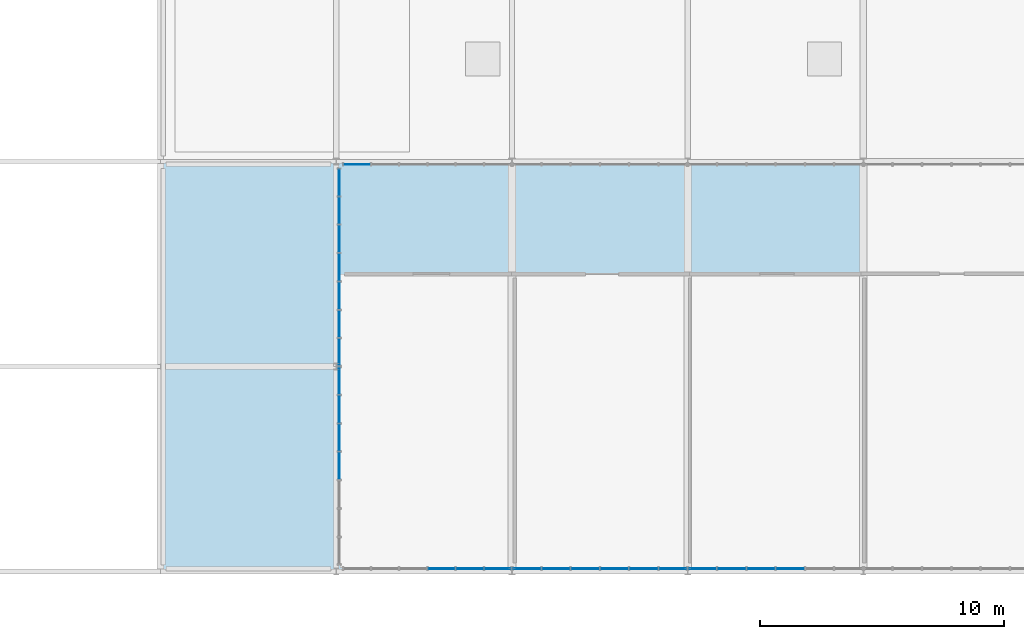
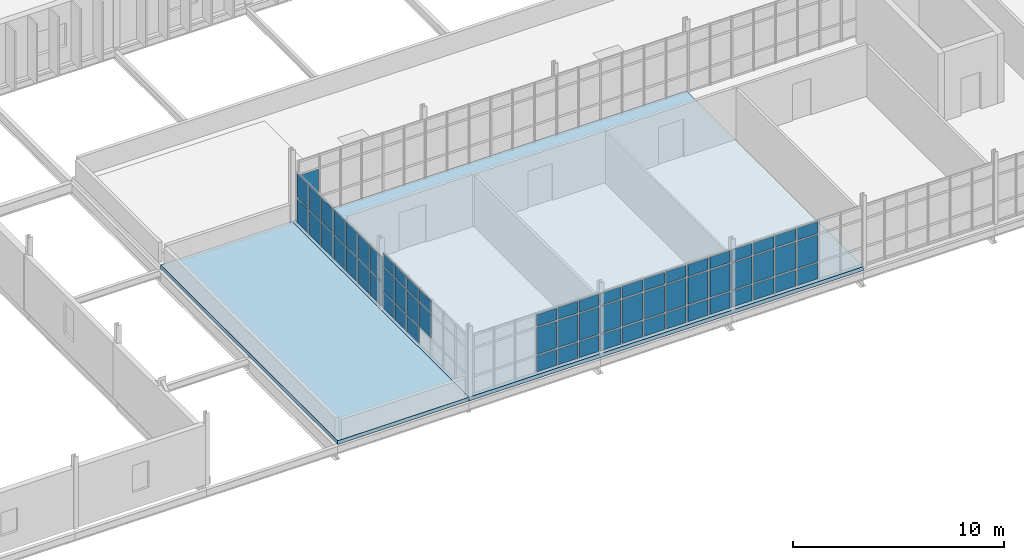
# One storey, part 68 of 119: 66 plates, 2 slabs, 6 elements without a shape of their own.
"""IFC4 building model written with IfcOpenShell, lengths in metres."""

from ifc_helpers import new_model, si_unit, direction, frame, origin, origin_2d, place, context, subcontext, project, spatial, polyline, rectangle, outline, extrude, material, layer, layer_set, type_object, element, aggregate, save


model = new_model("IFC4")

# Units and contexts
model_context = context("Model", 3, precision=1e-05, world=origin(), true_north=direction((0.0, 1.0)))
body_context = subcontext(model_context, "Body", "Model", "MODEL_VIEW")
ifc_project = project(units=[si_unit("LENGTHUNIT", "METRE"), si_unit("AREAUNIT", "SQUARE_METRE"), si_unit("VOLUMEUNIT", "CUBIC_METRE"), si_unit("PLANEANGLEUNIT", "RADIAN"), si_unit("MASSUNIT", "GRAM", prefix="KILO")], contexts=[model_context])

# Site, building, storey
site_placement = place(None, origin())
site = spatial("IfcSite", under=ifc_project, at=site_placement, CompositionType="ELEMENT")
building_placement = place(site_placement, origin())
building = spatial("IfcBuilding", under=site, at=building_placement, Name="Qelthora Terrace Specialist Clinic", CompositionType="ELEMENT")
storey_placement = place(building_placement, frame((0.0, 0.0, 4.800048828125)))
storey = spatial("IfcBuildingStorey", under=building, at=storey_placement, Name="L01", CompositionType="ELEMENT", Elevation=4.800048828125)

# Curtain wall, plates
ifc_material_1 = material(Name="Aluminium anodized bronze", Category="aluminium")
curtain_wall_type = type_object("IfcCurtainWallType", Name="CW-CONS-UP", PredefinedType="NOTDEFINED", material=ifc_material_1)
curtain_wall_1_placement = place(storey_placement, origin())
curtain_wall_1 = element("IfcCurtainWall", 1, at=curtain_wall_1_placement, inside=storey, type_object=curtain_wall_type, Name="Curtain wall CW-L01-240", PredefinedType="NOTDEFINED")
ifc_material_2 = material(Name="Low-E triple-silver insulating glass", Category="glass")
ifc_layer_1 = layer(ifc_material_2, 0.035888671875)
ifc_layer_set_1 = layer_set([ifc_layer_1], Name="Low-E triple-silver insulating glass")
plate_type = type_object("IfcPlateType", Name="CWP-IGU-36", PredefinedType="CURTAIN_PANEL", material=ifc_layer_set_1)
plate_1_placement = place(storey_placement, frame((108.83837890625, 16.679931640625, 0.0849609375), z_axis=(0.0, 0.0, 1.0), x_axis=(1.0, 0.0, 0.0)))
plate_1 = element("IfcPlate", 2, at=plate_1_placement, type_object=plate_type, Name="CW-L01-240 glazed panel 1", PredefinedType="CURTAIN_PANEL", context=body_context, shape_type="SweptSolid", body=[
    extrude(rectangle(XDim=1.056640625, YDim=0.035888671875, at=origin_2d()), origin(), (0.0, 0.0, 1.0), 0.919921875),
])
plate_2_placement = place(storey_placement, frame((108.83837890625, 16.679931640625, 1.09521484375), z_axis=(0.0, 0.0, 1.0), x_axis=(1.0, 0.0, 0.0)))
plate_2 = element("IfcPlate", 3, at=plate_2_placement, type_object=plate_type, Name="CW-L01-240 glazed panel 2", PredefinedType="CURTAIN_PANEL", context=body_context, shape_type="SweptSolid", body=[
    extrude(rectangle(XDim=1.056640625, YDim=0.035888671875, at=origin_2d()), origin(), (0.0, 0.0, 1.0), 1.535888671875),
])
aggregate(curtain_wall_1, [plate_1, plate_2])

curtain_wall_2_placement = place(storey_placement, origin())
curtain_wall_2 = element("IfcCurtainWall", 4, at=curtain_wall_2_placement, inside=storey, type_object=curtain_wall_type, Name="Curtain wall CW-L01-248", PredefinedType="NOTDEFINED")
plate_3_placement = place(storey_placement, frame((112.308349609375, 0.1201171875, 0.0849609375), z_axis=(0.0, 0.0, 1.0), x_axis=(1.0, 0.0, 0.0)))
plate_3 = element("IfcPlate", 5, at=plate_3_placement, type_object=plate_type, Name="CW-L01-248 glazed panel 10", PredefinedType="CURTAIN_PANEL", context=body_context, shape_type="SweptSolid", body=[
    extrude(rectangle(XDim=1.056640625, YDim=0.035888671875, at=origin_2d()), origin(), (0.0, 0.0, 1.0), 0.919921875),
])
plate_4_placement = place(storey_placement, frame((112.308349609375, 0.1201171875, 1.094970703125), z_axis=(0.0, 0.0, 1.0), x_axis=(1.0, 0.0, 0.0)))
plate_4 = element("IfcPlate", 6, at=plate_4_placement, type_object=plate_type, Name="CW-L01-248 glazed panel 11", PredefinedType="CURTAIN_PANEL", context=body_context, shape_type="SweptSolid", body=[
    extrude(rectangle(XDim=1.056640625, YDim=0.035888671875, at=origin_2d()), origin(), (0.0, 0.0, 1.0), 1.5419921875),
])
plate_5_placement = place(storey_placement, frame((112.308349609375, 0.1201171875, 2.72705078125), z_axis=(0.0, 0.0, 1.0), x_axis=(1.0, 0.0, 0.0)))
plate_5 = element("IfcPlate", 7, at=plate_5_placement, type_object=plate_type, Name="CW-L01-248 glazed panel 12", PredefinedType="CURTAIN_PANEL", context=body_context, shape_type="SweptSolid", body=[
    extrude(rectangle(XDim=1.056640625, YDim=0.035888671875, at=origin_2d()), origin(), (0.0, 0.0, 1.0), 0.669921875),
])
plate_6_placement = place(storey_placement, frame((113.465087890625, 0.1201171875, 0.0849609375), z_axis=(0.0, 0.0, 1.0), x_axis=(1.0, 0.0, 0.0)))
plate_6 = element("IfcPlate", 8, at=plate_6_placement, type_object=plate_type, Name="CW-L01-248 glazed panel 13", PredefinedType="CURTAIN_PANEL", context=body_context, shape_type="SweptSolid", body=[
    extrude(rectangle(XDim=1.056640625, YDim=0.035888671875, at=origin_2d()), origin(), (0.0, 0.0, 1.0), 0.919921875),
])
plate_7_placement = place(storey_placement, frame((113.465087890625, 0.1201171875, 1.094970703125), z_axis=(0.0, 0.0, 1.0), x_axis=(1.0, 0.0, 0.0)))
plate_7 = element("IfcPlate", 9, at=plate_7_placement, type_object=plate_type, Name="CW-L01-248 glazed panel 14", PredefinedType="CURTAIN_PANEL", context=body_context, shape_type="SweptSolid", body=[
    extrude(rectangle(XDim=1.056640625, YDim=0.035888671875, at=origin_2d()), origin(), (0.0, 0.0, 1.0), 1.5419921875),
])
plate_8_placement = place(storey_placement, frame((113.465087890625, 0.1201171875, 2.72705078125), z_axis=(0.0, 0.0, 1.0), x_axis=(1.0, 0.0, 0.0)))
plate_8 = element("IfcPlate", 10, at=plate_8_placement, type_object=plate_type, Name="CW-L01-248 glazed panel 15", PredefinedType="CURTAIN_PANEL", context=body_context, shape_type="SweptSolid", body=[
    extrude(rectangle(XDim=1.056640625, YDim=0.035888671875, at=origin_2d()), origin(), (0.0, 0.0, 1.0), 0.669921875),
])
plate_9_placement = place(storey_placement, frame((114.62158203125, 0.1201171875, 0.0849609375), z_axis=(0.0, 0.0, 1.0), x_axis=(1.0, 0.0, 0.0)))
plate_9 = element("IfcPlate", 11, at=plate_9_placement, type_object=plate_type, Name="CW-L01-248 glazed panel 16", PredefinedType="CURTAIN_PANEL", context=body_context, shape_type="SweptSolid", body=[
    extrude(rectangle(XDim=1.056640625, YDim=0.035888671875, at=origin_2d()), origin(), (0.0, 0.0, 1.0), 0.919921875),
])
plate_10_placement = place(storey_placement, frame((114.62158203125, 0.1201171875, 1.094970703125), z_axis=(0.0, 0.0, 1.0), x_axis=(1.0, 0.0, 0.0)))
plate_10 = element("IfcPlate", 12, at=plate_10_placement, type_object=plate_type, Name="CW-L01-248 glazed panel 17", PredefinedType="CURTAIN_PANEL", context=body_context, shape_type="SweptSolid", body=[
    extrude(rectangle(XDim=1.056640625, YDim=0.035888671875, at=origin_2d()), origin(), (0.0, 0.0, 1.0), 1.5419921875),
])
plate_11_placement = place(storey_placement, frame((114.62158203125, 0.1201171875, 2.72705078125), z_axis=(0.0, 0.0, 1.0), x_axis=(1.0, 0.0, 0.0)))
plate_11 = element("IfcPlate", 13, at=plate_11_placement, type_object=plate_type, Name="CW-L01-248 glazed panel 18", PredefinedType="CURTAIN_PANEL", context=body_context, shape_type="SweptSolid", body=[
    extrude(rectangle(XDim=1.056640625, YDim=0.035888671875, at=origin_2d()), origin(), (0.0, 0.0, 1.0), 0.669921875),
])
aggregate(curtain_wall_2, [plate_3, plate_4, plate_5, plate_6, plate_7, plate_8, plate_9, plate_10, plate_11])

curtain_wall_3_placement = place(storey_placement, origin())
curtain_wall_3 = element("IfcCurtainWall", 14, at=curtain_wall_3_placement, inside=storey, type_object=curtain_wall_type, Name="Curtain wall CW-L01-249", PredefinedType="NOTDEFINED")
plate_12_placement = place(storey_placement, frame((115.800048828125, 0.1201171875, 0.0849609375), z_axis=(0.0, 0.0, 1.0), x_axis=(1.0, 0.0, 0.0)))
plate_12 = element("IfcPlate", 15, at=plate_12_placement, type_object=plate_type, Name="CW-L01-249 glazed panel 1", PredefinedType="CURTAIN_PANEL", context=body_context, shape_type="SweptSolid", body=[
    extrude(rectangle(XDim=1.10009765625, YDim=0.035888671875, at=origin_2d()), origin(), (0.0, 0.0, 1.0), 0.919921875),
])
plate_13_placement = place(storey_placement, frame((115.800048828125, 0.1201171875, 1.094970703125), z_axis=(0.0, 0.0, 1.0), x_axis=(1.0, 0.0, 0.0)))
plate_13 = element("IfcPlate", 16, at=plate_13_placement, type_object=plate_type, Name="CW-L01-249 glazed panel 2", PredefinedType="CURTAIN_PANEL", context=body_context, shape_type="SweptSolid", body=[
    extrude(rectangle(XDim=1.10009765625, YDim=0.035888671875, at=origin_2d()), origin(), (0.0, 0.0, 1.0), 1.5419921875),
])
plate_14_placement = place(storey_placement, frame((115.800048828125, 0.1201171875, 2.72705078125), z_axis=(0.0, 0.0, 1.0), x_axis=(1.0, 0.0, 0.0)))
plate_14 = element("IfcPlate", 17, at=plate_14_placement, type_object=plate_type, Name="CW-L01-249 glazed panel 3", PredefinedType="CURTAIN_PANEL", context=body_context, shape_type="SweptSolid", body=[
    extrude(rectangle(XDim=1.10009765625, YDim=0.035888671875, at=origin_2d()), origin(), (0.0, 0.0, 1.0), 0.669921875),
])
plate_15_placement = place(storey_placement, frame((117.0, 0.1201171875, 0.0849609375), z_axis=(0.0, 0.0, 1.0), x_axis=(1.0, 0.0, 0.0)))
plate_15 = element("IfcPlate", 18, at=plate_15_placement, type_object=plate_type, Name="CW-L01-249 glazed panel 4", PredefinedType="CURTAIN_PANEL", context=body_context, shape_type="SweptSolid", body=[
    extrude(rectangle(XDim=1.10009765625, YDim=0.035888671875, at=origin_2d()), origin(), (0.0, 0.0, 1.0), 0.919921875),
])
plate_16_placement = place(storey_placement, frame((117.0, 0.1201171875, 1.094970703125), z_axis=(0.0, 0.0, 1.0), x_axis=(1.0, 0.0, 0.0)))
plate_16 = element("IfcPlate", 19, at=plate_16_placement, type_object=plate_type, Name="CW-L01-249 glazed panel 5", PredefinedType="CURTAIN_PANEL", context=body_context, shape_type="SweptSolid", body=[
    extrude(rectangle(XDim=1.10009765625, YDim=0.035888671875, at=origin_2d()), origin(), (0.0, 0.0, 1.0), 1.5419921875),
])
plate_17_placement = place(storey_placement, frame((117.0, 0.1201171875, 2.72705078125), z_axis=(0.0, 0.0, 1.0), x_axis=(1.0, 0.0, 0.0)))
plate_17 = element("IfcPlate", 20, at=plate_17_placement, type_object=plate_type, Name="CW-L01-249 glazed panel 6", PredefinedType="CURTAIN_PANEL", context=body_context, shape_type="SweptSolid", body=[
    extrude(rectangle(XDim=1.10009765625, YDim=0.035888671875, at=origin_2d()), origin(), (0.0, 0.0, 1.0), 0.669921875),
])
plate_18_placement = place(storey_placement, frame((118.199951171875, 0.1201171875, 0.0849609375), z_axis=(0.0, 0.0, 1.0), x_axis=(1.0, 0.0, 0.0)))
plate_18 = element("IfcPlate", 21, at=plate_18_placement, type_object=plate_type, Name="CW-L01-249 glazed panel 7", PredefinedType="CURTAIN_PANEL", context=body_context, shape_type="SweptSolid", body=[
    extrude(rectangle(XDim=1.10009765625, YDim=0.035888671875, at=origin_2d()), origin(), (0.0, 0.0, 1.0), 0.919921875),
])
plate_19_placement = place(storey_placement, frame((118.199951171875, 0.1201171875, 1.094970703125), z_axis=(0.0, 0.0, 1.0), x_axis=(1.0, 0.0, 0.0)))
plate_19 = element("IfcPlate", 22, at=plate_19_placement, type_object=plate_type, Name="CW-L01-249 glazed panel 8", PredefinedType="CURTAIN_PANEL", context=body_context, shape_type="SweptSolid", body=[
    extrude(rectangle(XDim=1.10009765625, YDim=0.035888671875, at=origin_2d()), origin(), (0.0, 0.0, 1.0), 1.5419921875),
])
plate_20_placement = place(storey_placement, frame((118.199951171875, 0.1201171875, 2.72705078125), z_axis=(0.0, 0.0, 1.0), x_axis=(1.0, 0.0, 0.0)))
plate_20 = element("IfcPlate", 23, at=plate_20_placement, type_object=plate_type, Name="CW-L01-249 glazed panel 9", PredefinedType="CURTAIN_PANEL", context=body_context, shape_type="SweptSolid", body=[
    extrude(rectangle(XDim=1.10009765625, YDim=0.035888671875, at=origin_2d()), origin(), (0.0, 0.0, 1.0), 0.669921875),
])
plate_21_placement = place(storey_placement, frame((119.39990234375, 0.1201171875, 0.0849609375), z_axis=(0.0, 0.0, 1.0), x_axis=(1.0, 0.0, 0.0)))
plate_21 = element("IfcPlate", 24, at=plate_21_placement, type_object=plate_type, Name="CW-L01-249 glazed panel 10", PredefinedType="CURTAIN_PANEL", context=body_context, shape_type="SweptSolid", body=[
    extrude(rectangle(XDim=1.10009765625, YDim=0.035888671875, at=origin_2d()), origin(), (0.0, 0.0, 1.0), 0.919921875),
])
plate_22_placement = place(storey_placement, frame((119.39990234375, 0.1201171875, 1.094970703125), z_axis=(0.0, 0.0, 1.0), x_axis=(1.0, 0.0, 0.0)))
plate_22 = element("IfcPlate", 25, at=plate_22_placement, type_object=plate_type, Name="CW-L01-249 glazed panel 11", PredefinedType="CURTAIN_PANEL", context=body_context, shape_type="SweptSolid", body=[
    extrude(rectangle(XDim=1.10009765625, YDim=0.035888671875, at=origin_2d()), origin(), (0.0, 0.0, 1.0), 1.5419921875),
])
plate_23_placement = place(storey_placement, frame((119.39990234375, 0.1201171875, 2.72705078125), z_axis=(0.0, 0.0, 1.0), x_axis=(1.0, 0.0, 0.0)))
plate_23 = element("IfcPlate", 26, at=plate_23_placement, type_object=plate_type, Name="CW-L01-249 glazed panel 12", PredefinedType="CURTAIN_PANEL", context=body_context, shape_type="SweptSolid", body=[
    extrude(rectangle(XDim=1.10009765625, YDim=0.035888671875, at=origin_2d()), origin(), (0.0, 0.0, 1.0), 0.669921875),
])
plate_24_placement = place(storey_placement, frame((120.60009765625, 0.1201171875, 0.0849609375), z_axis=(0.0, 0.0, 1.0), x_axis=(1.0, 0.0, 0.0)))
plate_24 = element("IfcPlate", 27, at=plate_24_placement, type_object=plate_type, Name="CW-L01-249 glazed panel 13", PredefinedType="CURTAIN_PANEL", context=body_context, shape_type="SweptSolid", body=[
    extrude(rectangle(XDim=1.10009765625, YDim=0.035888671875, at=origin_2d()), origin(), (0.0, 0.0, 1.0), 0.919921875),
])
plate_25_placement = place(storey_placement, frame((120.60009765625, 0.1201171875, 1.094970703125), z_axis=(0.0, 0.0, 1.0), x_axis=(1.0, 0.0, 0.0)))
plate_25 = element("IfcPlate", 28, at=plate_25_placement, type_object=plate_type, Name="CW-L01-249 glazed panel 14", PredefinedType="CURTAIN_PANEL", context=body_context, shape_type="SweptSolid", body=[
    extrude(rectangle(XDim=1.10009765625, YDim=0.035888671875, at=origin_2d()), origin(), (0.0, 0.0, 1.0), 1.5419921875),
])
plate_26_placement = place(storey_placement, frame((120.60009765625, 0.1201171875, 2.72705078125), z_axis=(0.0, 0.0, 1.0), x_axis=(1.0, 0.0, 0.0)))
plate_26 = element("IfcPlate", 29, at=plate_26_placement, type_object=plate_type, Name="CW-L01-249 glazed panel 15", PredefinedType="CURTAIN_PANEL", context=body_context, shape_type="SweptSolid", body=[
    extrude(rectangle(XDim=1.10009765625, YDim=0.035888671875, at=origin_2d()), origin(), (0.0, 0.0, 1.0), 0.669921875),
])
plate_27_placement = place(storey_placement, frame((121.800048828125, 0.1201171875, 0.0849609375), z_axis=(0.0, 0.0, 1.0), x_axis=(1.0, 0.0, 0.0)))
plate_27 = element("IfcPlate", 30, at=plate_27_placement, type_object=plate_type, Name="CW-L01-249 glazed panel 16", PredefinedType="CURTAIN_PANEL", context=body_context, shape_type="SweptSolid", body=[
    extrude(rectangle(XDim=1.10009765625, YDim=0.035888671875, at=origin_2d()), origin(), (0.0, 0.0, 1.0), 0.919921875),
])
plate_28_placement = place(storey_placement, frame((121.800048828125, 0.1201171875, 1.094970703125), z_axis=(0.0, 0.0, 1.0), x_axis=(1.0, 0.0, 0.0)))
plate_28 = element("IfcPlate", 31, at=plate_28_placement, type_object=plate_type, Name="CW-L01-249 glazed panel 17", PredefinedType="CURTAIN_PANEL", context=body_context, shape_type="SweptSolid", body=[
    extrude(rectangle(XDim=1.10009765625, YDim=0.035888671875, at=origin_2d()), origin(), (0.0, 0.0, 1.0), 1.5419921875),
])
plate_29_placement = place(storey_placement, frame((121.800048828125, 0.1201171875, 2.72705078125), z_axis=(0.0, 0.0, 1.0), x_axis=(1.0, 0.0, 0.0)))
plate_29 = element("IfcPlate", 32, at=plate_29_placement, type_object=plate_type, Name="CW-L01-249 glazed panel 18", PredefinedType="CURTAIN_PANEL", context=body_context, shape_type="SweptSolid", body=[
    extrude(rectangle(XDim=1.10009765625, YDim=0.035888671875, at=origin_2d()), origin(), (0.0, 0.0, 1.0), 0.669921875),
])
aggregate(curtain_wall_3, [plate_12, plate_13, plate_14, plate_15, plate_16, plate_17, plate_18, plate_19, plate_20, plate_21, plate_22, plate_23, plate_24, plate_25, plate_26, plate_27, plate_28, plate_29])

curtain_wall_4_placement = place(storey_placement, origin())
curtain_wall_4 = element("IfcCurtainWall", 33, at=curtain_wall_4_placement, inside=storey, type_object=curtain_wall_type, Name="Curtain wall CW-L01-250", PredefinedType="NOTDEFINED")
plate_30_placement = place(storey_placement, frame((123.0, 0.1201171875, 0.0849609375), z_axis=(0.0, 0.0, 1.0), x_axis=(1.0, 0.0, 0.0)))
plate_30 = element("IfcPlate", 34, at=plate_30_placement, type_object=plate_type, Name="CW-L01-250 glazed panel 1", PredefinedType="CURTAIN_PANEL", context=body_context, shape_type="SweptSolid", body=[
    extrude(rectangle(XDim=1.10009765625, YDim=0.035888671875, at=origin_2d()), origin(), (0.0, 0.0, 1.0), 0.919921875),
])
plate_31_placement = place(storey_placement, frame((123.0, 0.1201171875, 1.094970703125), z_axis=(0.0, 0.0, 1.0), x_axis=(1.0, 0.0, 0.0)))
plate_31 = element("IfcPlate", 35, at=plate_31_placement, type_object=plate_type, Name="CW-L01-250 glazed panel 2", PredefinedType="CURTAIN_PANEL", context=body_context, shape_type="SweptSolid", body=[
    extrude(rectangle(XDim=1.10009765625, YDim=0.035888671875, at=origin_2d()), origin(), (0.0, 0.0, 1.0), 1.5419921875),
])
plate_32_placement = place(storey_placement, frame((123.0, 0.1201171875, 2.72705078125), z_axis=(0.0, 0.0, 1.0), x_axis=(1.0, 0.0, 0.0)))
plate_32 = element("IfcPlate", 36, at=plate_32_placement, type_object=plate_type, Name="CW-L01-250 glazed panel 3", PredefinedType="CURTAIN_PANEL", context=body_context, shape_type="SweptSolid", body=[
    extrude(rectangle(XDim=1.10009765625, YDim=0.035888671875, at=origin_2d()), origin(), (0.0, 0.0, 1.0), 0.669921875),
])
plate_33_placement = place(storey_placement, frame((124.199951171875, 0.1201171875, 0.0849609375), z_axis=(0.0, 0.0, 1.0), x_axis=(1.0, 0.0, 0.0)))
plate_33 = element("IfcPlate", 37, at=plate_33_placement, type_object=plate_type, Name="CW-L01-250 glazed panel 4", PredefinedType="CURTAIN_PANEL", context=body_context, shape_type="SweptSolid", body=[
    extrude(rectangle(XDim=1.10009765625, YDim=0.035888671875, at=origin_2d()), origin(), (0.0, 0.0, 1.0), 0.919921875),
])
plate_34_placement = place(storey_placement, frame((124.199951171875, 0.1201171875, 1.094970703125), z_axis=(0.0, 0.0, 1.0), x_axis=(1.0, 0.0, 0.0)))
plate_34 = element("IfcPlate", 38, at=plate_34_placement, type_object=plate_type, Name="CW-L01-250 glazed panel 5", PredefinedType="CURTAIN_PANEL", context=body_context, shape_type="SweptSolid", body=[
    extrude(rectangle(XDim=1.10009765625, YDim=0.035888671875, at=origin_2d()), origin(), (0.0, 0.0, 1.0), 1.5419921875),
])
plate_35_placement = place(storey_placement, frame((124.199951171875, 0.1201171875, 2.72705078125), z_axis=(0.0, 0.0, 1.0), x_axis=(1.0, 0.0, 0.0)))
plate_35 = element("IfcPlate", 39, at=plate_35_placement, type_object=plate_type, Name="CW-L01-250 glazed panel 6", PredefinedType="CURTAIN_PANEL", context=body_context, shape_type="SweptSolid", body=[
    extrude(rectangle(XDim=1.10009765625, YDim=0.035888671875, at=origin_2d()), origin(), (0.0, 0.0, 1.0), 0.669921875),
])
plate_36_placement = place(storey_placement, frame((125.39990234375, 0.1201171875, 0.0849609375), z_axis=(0.0, 0.0, 1.0), x_axis=(1.0, 0.0, 0.0)))
plate_36 = element("IfcPlate", 40, at=plate_36_placement, type_object=plate_type, Name="CW-L01-250 glazed panel 7", PredefinedType="CURTAIN_PANEL", context=body_context, shape_type="SweptSolid", body=[
    extrude(rectangle(XDim=1.10009765625, YDim=0.035888671875, at=origin_2d()), origin(), (0.0, 0.0, 1.0), 0.919921875),
])
plate_37_placement = place(storey_placement, frame((125.39990234375, 0.1201171875, 1.094970703125), z_axis=(0.0, 0.0, 1.0), x_axis=(1.0, 0.0, 0.0)))
plate_37 = element("IfcPlate", 41, at=plate_37_placement, type_object=plate_type, Name="CW-L01-250 glazed panel 8", PredefinedType="CURTAIN_PANEL", context=body_context, shape_type="SweptSolid", body=[
    extrude(rectangle(XDim=1.10009765625, YDim=0.035888671875, at=origin_2d()), origin(), (0.0, 0.0, 1.0), 1.5419921875),
])
plate_38_placement = place(storey_placement, frame((125.39990234375, 0.1201171875, 2.72705078125), z_axis=(0.0, 0.0, 1.0), x_axis=(1.0, 0.0, 0.0)))
plate_38 = element("IfcPlate", 42, at=plate_38_placement, type_object=plate_type, Name="CW-L01-250 glazed panel 9", PredefinedType="CURTAIN_PANEL", context=body_context, shape_type="SweptSolid", body=[
    extrude(rectangle(XDim=1.10009765625, YDim=0.035888671875, at=origin_2d()), origin(), (0.0, 0.0, 1.0), 0.669921875),
])
plate_39_placement = place(storey_placement, frame((126.60009765625, 0.1201171875, 0.0849609375), z_axis=(0.0, 0.0, 1.0), x_axis=(1.0, 0.0, 0.0)))
plate_39 = element("IfcPlate", 43, at=plate_39_placement, type_object=plate_type, Name="CW-L01-250 glazed panel 10", PredefinedType="CURTAIN_PANEL", context=body_context, shape_type="SweptSolid", body=[
    extrude(rectangle(XDim=1.10009765625, YDim=0.035888671875, at=origin_2d()), origin(), (0.0, 0.0, 1.0), 0.919921875),
])
plate_40_placement = place(storey_placement, frame((126.60009765625, 0.1201171875, 1.094970703125), z_axis=(0.0, 0.0, 1.0), x_axis=(1.0, 0.0, 0.0)))
plate_40 = element("IfcPlate", 44, at=plate_40_placement, type_object=plate_type, Name="CW-L01-250 glazed panel 11", PredefinedType="CURTAIN_PANEL", context=body_context, shape_type="SweptSolid", body=[
    extrude(rectangle(XDim=1.10009765625, YDim=0.035888671875, at=origin_2d()), origin(), (0.0, 0.0, 1.0), 1.5419921875),
])
plate_41_placement = place(storey_placement, frame((126.60009765625, 0.1201171875, 2.72705078125), z_axis=(0.0, 0.0, 1.0), x_axis=(1.0, 0.0, 0.0)))
plate_41 = element("IfcPlate", 45, at=plate_41_placement, type_object=plate_type, Name="CW-L01-250 glazed panel 12", PredefinedType="CURTAIN_PANEL", context=body_context, shape_type="SweptSolid", body=[
    extrude(rectangle(XDim=1.10009765625, YDim=0.035888671875, at=origin_2d()), origin(), (0.0, 0.0, 1.0), 0.669921875),
])
aggregate(curtain_wall_4, [plate_30, plate_31, plate_32, plate_33, plate_34, plate_35, plate_36, plate_37, plate_38, plate_39, plate_40, plate_41])

curtain_wall_5_placement = place(storey_placement, origin())
curtain_wall_5 = element("IfcCurtainWall", 46, at=curtain_wall_5_placement, inside=storey, type_object=curtain_wall_type, Name="Curtain wall CW-L01-254", PredefinedType="NOTDEFINED")
plate_42_placement = place(storey_placement, frame((108.1201171875, 4.330078125, 1.0947265625), z_axis=(0.0, 0.0, 1.0), x_axis=(0.0, 1.0, 0.0)))
plate_42 = element("IfcPlate", 47, at=plate_42_placement, type_object=plate_type, Name="CW-L01-254 glazed panel 11", PredefinedType="CURTAIN_PANEL", context=body_context, shape_type="SweptSolid", body=[
    extrude(rectangle(XDim=1.062744140625, YDim=0.035888671875, at=origin_2d()), origin(), (0.0, 0.0, 1.0), 1.385009765625),
])
plate_43_placement = place(storey_placement, frame((108.1201171875, 4.330078125, 2.570068359375), z_axis=(0.0, 0.0, 1.0), x_axis=(0.0, 1.0, 0.0)))
plate_43 = element("IfcPlate", 48, at=plate_43_placement, type_object=plate_type, Name="CW-L01-254 glazed panel 12", PredefinedType="CURTAIN_PANEL", context=body_context, shape_type="SweptSolid", body=[
    extrude(rectangle(XDim=1.062744140625, YDim=0.035888671875, at=origin_2d()), origin(), (0.0, 0.0, 1.0), 0.669921875),
])
plate_44_placement = place(storey_placement, frame((108.1201171875, 5.492919921875, 0.0849609375), z_axis=(0.0, 0.0, 1.0), x_axis=(0.0, 1.0, 0.0)))
plate_44 = element("IfcPlate", 49, at=plate_44_placement, type_object=plate_type, Name="CW-L01-254 glazed panel 13", PredefinedType="CURTAIN_PANEL", context=body_context, shape_type="SweptSolid", body=[
    extrude(rectangle(XDim=1.062744140625, YDim=0.035888671875, at=origin_2d()), origin(), (0.0, 0.0, 1.0), 0.919921875),
])
plate_45_placement = place(storey_placement, frame((108.1201171875, 5.492919921875, 1.0947265625), z_axis=(0.0, 0.0, 1.0), x_axis=(0.0, 1.0, 0.0)))
plate_45 = element("IfcPlate", 50, at=plate_45_placement, type_object=plate_type, Name="CW-L01-254 glazed panel 14", PredefinedType="CURTAIN_PANEL", context=body_context, shape_type="SweptSolid", body=[
    extrude(rectangle(XDim=1.062744140625, YDim=0.035888671875, at=origin_2d()), origin(), (0.0, 0.0, 1.0), 1.385009765625),
])
plate_46_placement = place(storey_placement, frame((108.1201171875, 5.492919921875, 2.570068359375), z_axis=(0.0, 0.0, 1.0), x_axis=(0.0, 1.0, 0.0)))
plate_46 = element("IfcPlate", 51, at=plate_46_placement, type_object=plate_type, Name="CW-L01-254 glazed panel 15", PredefinedType="CURTAIN_PANEL", context=body_context, shape_type="SweptSolid", body=[
    extrude(rectangle(XDim=1.062744140625, YDim=0.035888671875, at=origin_2d()), origin(), (0.0, 0.0, 1.0), 0.669921875),
])
plate_47_placement = place(storey_placement, frame((108.1201171875, 6.65576171875, 0.0849609375), z_axis=(0.0, 0.0, 1.0), x_axis=(0.0, 1.0, 0.0)))
plate_47 = element("IfcPlate", 52, at=plate_47_placement, type_object=plate_type, Name="CW-L01-254 glazed panel 16", PredefinedType="CURTAIN_PANEL", context=body_context, shape_type="SweptSolid", body=[
    extrude(rectangle(XDim=1.062744140625, YDim=0.035888671875, at=origin_2d()), origin(), (0.0, 0.0, 1.0), 0.919921875),
])
plate_48_placement = place(storey_placement, frame((108.1201171875, 6.65576171875, 1.0947265625), z_axis=(0.0, 0.0, 1.0), x_axis=(0.0, 1.0, 0.0)))
plate_48 = element("IfcPlate", 53, at=plate_48_placement, type_object=plate_type, Name="CW-L01-254 glazed panel 17", PredefinedType="CURTAIN_PANEL", context=body_context, shape_type="SweptSolid", body=[
    extrude(rectangle(XDim=1.062744140625, YDim=0.035888671875, at=origin_2d()), origin(), (0.0, 0.0, 1.0), 1.385009765625),
])
plate_49_placement = place(storey_placement, frame((108.1201171875, 6.65576171875, 2.570068359375), z_axis=(0.0, 0.0, 1.0), x_axis=(0.0, 1.0, 0.0)))
plate_49 = element("IfcPlate", 54, at=plate_49_placement, type_object=plate_type, Name="CW-L01-254 glazed panel 18", PredefinedType="CURTAIN_PANEL", context=body_context, shape_type="SweptSolid", body=[
    extrude(rectangle(XDim=1.062744140625, YDim=0.035888671875, at=origin_2d()), origin(), (0.0, 0.0, 1.0), 0.669921875),
])
plate_50_placement = place(storey_placement, frame((108.1201171875, 7.818603515625, 0.0849609375), z_axis=(0.0, 0.0, 1.0), x_axis=(0.0, 1.0, 0.0)))
plate_50 = element("IfcPlate", 55, at=plate_50_placement, type_object=plate_type, Name="CW-L01-254 glazed panel 19", PredefinedType="CURTAIN_PANEL", context=body_context, shape_type="SweptSolid", body=[
    extrude(rectangle(XDim=1.062744140625, YDim=0.035888671875, at=origin_2d()), origin(), (0.0, 0.0, 1.0), 0.919921875),
])
plate_51_placement = place(storey_placement, frame((108.1201171875, 7.818603515625, 1.0947265625), z_axis=(0.0, 0.0, 1.0), x_axis=(0.0, 1.0, 0.0)))
plate_51 = element("IfcPlate", 56, at=plate_51_placement, type_object=plate_type, Name="CW-L01-254 glazed panel 20", PredefinedType="CURTAIN_PANEL", context=body_context, shape_type="SweptSolid", body=[
    extrude(rectangle(XDim=1.062744140625, YDim=0.035888671875, at=origin_2d()), origin(), (0.0, 0.0, 1.0), 1.385009765625),
])
plate_52_placement = place(storey_placement, frame((108.1201171875, 7.818603515625, 2.570068359375), z_axis=(0.0, 0.0, 1.0), x_axis=(0.0, 1.0, 0.0)))
plate_52 = element("IfcPlate", 57, at=plate_52_placement, type_object=plate_type, Name="CW-L01-254 glazed panel 21", PredefinedType="CURTAIN_PANEL", context=body_context, shape_type="SweptSolid", body=[
    extrude(rectangle(XDim=1.062744140625, YDim=0.035888671875, at=origin_2d()), origin(), (0.0, 0.0, 1.0), 0.669921875),
])
aggregate(curtain_wall_5, [plate_42, plate_43, plate_44, plate_45, plate_46, plate_47, plate_48, plate_49, plate_50, plate_51, plate_52])

curtain_wall_6_placement = place(storey_placement, origin())
curtain_wall_6 = element("IfcCurtainWall", 58, at=curtain_wall_6_placement, inside=storey, type_object=curtain_wall_type, Name="Curtain wall CW-L01-255", PredefinedType="NOTDEFINED")
plate_53_placement = place(storey_placement, frame((108.1201171875, 8.9814453125, 0.0849609375), z_axis=(0.0, 0.0, 1.0), x_axis=(0.0, 1.0, 0.0)))
plate_53 = element("IfcPlate", 59, at=plate_53_placement, type_object=plate_type, Name="CW-L01-255 glazed panel 1", PredefinedType="CURTAIN_PANEL", context=body_context, shape_type="SweptSolid", body=[
    extrude(rectangle(XDim=1.062744140625, YDim=0.035888671875, at=origin_2d()), origin(), (0.0, 0.0, 1.0), 1.37744140625),
])
plate_54_placement = place(storey_placement, frame((108.1201171875, 8.9814453125, 1.552490234375), z_axis=(0.0, 0.0, 1.0), x_axis=(0.0, 1.0, 0.0)))
plate_54 = element("IfcPlate", 60, at=plate_54_placement, type_object=plate_type, Name="CW-L01-255 glazed panel 2", PredefinedType="CURTAIN_PANEL", context=body_context, shape_type="SweptSolid", body=[
    extrude(rectangle(XDim=1.062744140625, YDim=0.035888671875, at=origin_2d()), origin(), (0.0, 0.0, 1.0), 1.37744140625),
])
plate_55_placement = place(storey_placement, frame((108.1201171875, 10.144287109375, 0.0849609375), z_axis=(0.0, 0.0, 1.0), x_axis=(0.0, 1.0, 0.0)))
plate_55 = element("IfcPlate", 61, at=plate_55_placement, type_object=plate_type, Name="CW-L01-255 glazed panel 3", PredefinedType="CURTAIN_PANEL", context=body_context, shape_type="SweptSolid", body=[
    extrude(rectangle(XDim=1.062744140625, YDim=0.035888671875, at=origin_2d()), origin(), (0.0, 0.0, 1.0), 1.37744140625),
])
plate_56_placement = place(storey_placement, frame((108.1201171875, 10.144287109375, 1.552490234375), z_axis=(0.0, 0.0, 1.0), x_axis=(0.0, 1.0, 0.0)))
plate_56 = element("IfcPlate", 62, at=plate_56_placement, type_object=plate_type, Name="CW-L01-255 glazed panel 4", PredefinedType="CURTAIN_PANEL", context=body_context, shape_type="SweptSolid", body=[
    extrude(rectangle(XDim=1.062744140625, YDim=0.035888671875, at=origin_2d()), origin(), (0.0, 0.0, 1.0), 1.37744140625),
])
plate_57_placement = place(storey_placement, frame((108.1201171875, 11.30712890625, 0.0849609375), z_axis=(0.0, 0.0, 1.0), x_axis=(0.0, 1.0, 0.0)))
plate_57 = element("IfcPlate", 63, at=plate_57_placement, type_object=plate_type, Name="CW-L01-255 glazed panel 5", PredefinedType="CURTAIN_PANEL", context=body_context, shape_type="SweptSolid", body=[
    extrude(rectangle(XDim=1.062744140625, YDim=0.035888671875, at=origin_2d()), origin(), (0.0, 0.0, 1.0), 1.37744140625),
])
plate_58_placement = place(storey_placement, frame((108.1201171875, 11.30712890625, 1.552490234375), z_axis=(0.0, 0.0, 1.0), x_axis=(0.0, 1.0, 0.0)))
plate_58 = element("IfcPlate", 64, at=plate_58_placement, type_object=plate_type, Name="CW-L01-255 glazed panel 6", PredefinedType="CURTAIN_PANEL", context=body_context, shape_type="SweptSolid", body=[
    extrude(rectangle(XDim=1.062744140625, YDim=0.035888671875, at=origin_2d()), origin(), (0.0, 0.0, 1.0), 1.37744140625),
])
plate_59_placement = place(storey_placement, frame((108.1201171875, 12.469970703125, 0.0849609375), z_axis=(0.0, 0.0, 1.0), x_axis=(0.0, 1.0, 0.0)))
plate_59 = element("IfcPlate", 65, at=plate_59_placement, type_object=plate_type, Name="CW-L01-255 glazed panel 7", PredefinedType="CURTAIN_PANEL", context=body_context, shape_type="SweptSolid", body=[
    extrude(rectangle(XDim=1.062744140625, YDim=0.035888671875, at=origin_2d()), origin(), (0.0, 0.0, 1.0), 1.37744140625),
])
plate_60_placement = place(storey_placement, frame((108.1201171875, 12.469970703125, 1.552490234375), z_axis=(0.0, 0.0, 1.0), x_axis=(0.0, 1.0, 0.0)))
plate_60 = element("IfcPlate", 66, at=plate_60_placement, type_object=plate_type, Name="CW-L01-255 glazed panel 8", PredefinedType="CURTAIN_PANEL", context=body_context, shape_type="SweptSolid", body=[
    extrude(rectangle(XDim=1.062744140625, YDim=0.035888671875, at=origin_2d()), origin(), (0.0, 0.0, 1.0), 1.37744140625),
])
plate_61_placement = place(storey_placement, frame((108.1201171875, 13.6328125, 0.0849609375), z_axis=(0.0, 0.0, 1.0), x_axis=(0.0, 1.0, 0.0)))
plate_61 = element("IfcPlate", 67, at=plate_61_placement, type_object=plate_type, Name="CW-L01-255 glazed panel 9", PredefinedType="CURTAIN_PANEL", context=body_context, shape_type="SweptSolid", body=[
    extrude(rectangle(XDim=1.062744140625, YDim=0.035888671875, at=origin_2d()), origin(), (0.0, 0.0, 1.0), 1.37744140625),
])
plate_62_placement = place(storey_placement, frame((108.1201171875, 13.6328125, 1.552490234375), z_axis=(0.0, 0.0, 1.0), x_axis=(0.0, 1.0, 0.0)))
plate_62 = element("IfcPlate", 68, at=plate_62_placement, type_object=plate_type, Name="CW-L01-255 glazed panel 10", PredefinedType="CURTAIN_PANEL", context=body_context, shape_type="SweptSolid", body=[
    extrude(rectangle(XDim=1.062744140625, YDim=0.035888671875, at=origin_2d()), origin(), (0.0, 0.0, 1.0), 1.37744140625),
])
plate_63_placement = place(storey_placement, frame((108.1201171875, 14.795654296875, 0.0849609375), z_axis=(0.0, 0.0, 1.0), x_axis=(0.0, 1.0, 0.0)))
plate_63 = element("IfcPlate", 69, at=plate_63_placement, type_object=plate_type, Name="CW-L01-255 glazed panel 11", PredefinedType="CURTAIN_PANEL", context=body_context, shape_type="SweptSolid", body=[
    extrude(rectangle(XDim=1.062744140625, YDim=0.035888671875, at=origin_2d()), origin(), (0.0, 0.0, 1.0), 1.37744140625),
])
plate_64_placement = place(storey_placement, frame((108.1201171875, 14.795654296875, 1.552490234375), z_axis=(0.0, 0.0, 1.0), x_axis=(0.0, 1.0, 0.0)))
plate_64 = element("IfcPlate", 70, at=plate_64_placement, type_object=plate_type, Name="CW-L01-255 glazed panel 12", PredefinedType="CURTAIN_PANEL", context=body_context, shape_type="SweptSolid", body=[
    extrude(rectangle(XDim=1.062744140625, YDim=0.035888671875, at=origin_2d()), origin(), (0.0, 0.0, 1.0), 1.37744140625),
])
plate_65_placement = place(storey_placement, frame((108.1201171875, 15.95849609375, 0.0849609375), z_axis=(0.0, 0.0, 1.0), x_axis=(0.0, 1.0, 0.0)))
plate_65 = element("IfcPlate", 71, at=plate_65_placement, type_object=plate_type, Name="CW-L01-255 glazed panel 13", PredefinedType="CURTAIN_PANEL", context=body_context, shape_type="SweptSolid", body=[
    extrude(rectangle(XDim=1.062744140625, YDim=0.035888671875, at=origin_2d()), origin(), (0.0, 0.0, 1.0), 1.37744140625),
])
plate_66_placement = place(storey_placement, frame((108.1201171875, 15.95849609375, 1.552490234375), z_axis=(0.0, 0.0, 1.0), x_axis=(0.0, 1.0, 0.0)))
plate_66 = element("IfcPlate", 72, at=plate_66_placement, type_object=plate_type, Name="CW-L01-255 glazed panel 14", PredefinedType="CURTAIN_PANEL", context=body_context, shape_type="SweptSolid", body=[
    extrude(rectangle(XDim=1.062744140625, YDim=0.035888671875, at=origin_2d()), origin(), (0.0, 0.0, 1.0), 1.37744140625),
])
aggregate(curtain_wall_6, [plate_53, plate_54, plate_55, plate_56, plate_57, plate_58, plate_59, plate_60, plate_61, plate_62, plate_63, plate_64, plate_65, plate_66])

# Slabs
ifc_material_3 = material(Name="Concrete C30/37", Category="concrete")
ifc_layer_2 = layer(ifc_material_3, 0.219970703125)
ifc_layer_set_2 = layer_set([ifc_layer_2], Name="Concrete C30/37")
slab_type_1 = type_object("IfcSlabType", Name="SLB-FLR-220-C30", PredefinedType="FLOOR", material=ifc_layer_set_2)
slab_1_placement = place(storey_placement, frame((0.0, 0.0, -0.219970703125)))
element("IfcSlab", 73, at=slab_1_placement, inside=storey, type_object=slab_type_1, Name="L01 V3 slab SLB-L01-V3A", PredefinedType="FLOOR", context=body_context, shape_type="SweptSolid", body=[
    extrude(outline(polyline([(108.0, 16.800048828125), (129.60009765625, 16.800048828125), (129.60009765625, 0.0), (108.0, 0.0), (108.0, 16.800048828125)])), origin(), (0.0, 0.0, 1.0), 0.219970703125),
])
ifc_layer_3 = layer(ifc_material_3, 0.215087890625)
ifc_layer_set_3 = layer_set([ifc_layer_3], Name="Concrete C30/37")
slab_type_2 = type_object("IfcSlabType", Name="SLB-ROOF-150-ZINC", PredefinedType="ROOF", material=ifc_layer_set_3)
slab_2_placement = place(storey_placement, frame((0.0, 0.0, -0.215087890625)))
element("IfcSlab", 74, at=slab_2_placement, inside=storey, type_object=slab_type_2, Name="V3 west conservatory skirt roof slab", PredefinedType="ROOF", context=body_context, shape_type="SweptSolid", body=[
    extrude(outline(polyline([(100.800048828125, 0.0), (108.0, 0.0), (108.0, 16.800048828125), (100.800048828125, 16.800048828125), (100.800048828125, 0.0)])), origin(), (0.0, 0.0, 1.0), 0.215087890625),
])

save(model, "model.ifc")
